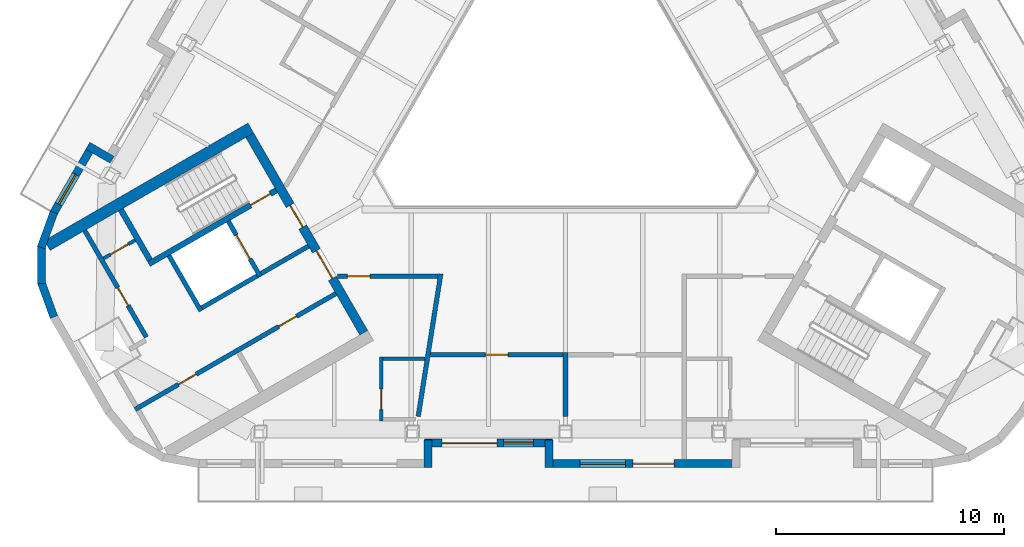
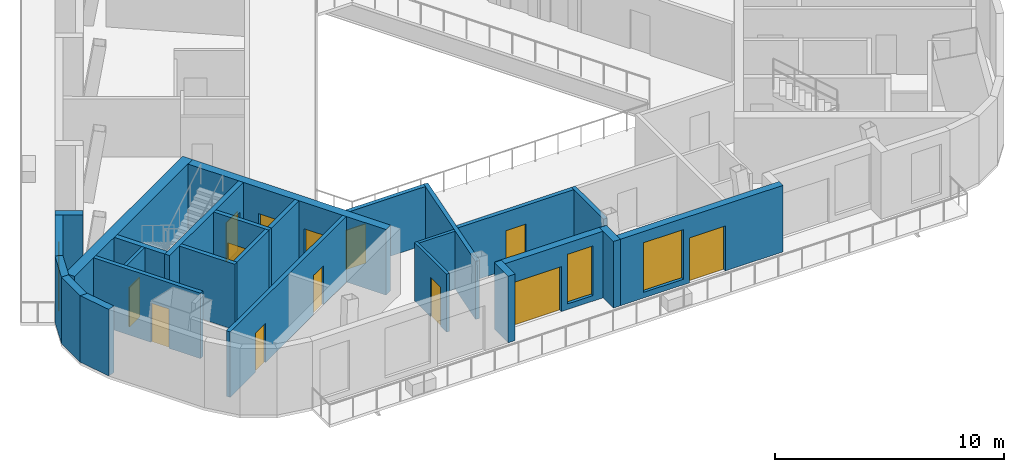
# One storey, part 3 of 11: 26 walls, 13 doors, 3 windows, 16 openings.
"""IFC4 building model written with IfcOpenShell, lengths in metres."""

from ifc_helpers import new_model, si_unit, direction, frame, frame_2d, origin, place, context, subcontext, project, spatial, rectangle, extrude, material, layer, layer_set, type_object, element, fill, save


model = new_model("IFC4")

# Units and contexts
model_context = context("Model", 3, precision=1e-05, world=origin(), true_north=direction((0.0, 1.0)))
body_context = subcontext(model_context, "Body", "Model", "MODEL_VIEW")
ifc_project = project(units=[si_unit("LENGTHUNIT", "METRE"), si_unit("AREAUNIT", "SQUARE_METRE"), si_unit("VOLUMEUNIT", "CUBIC_METRE"), si_unit("PLANEANGLEUNIT", "RADIAN"), si_unit("MASSUNIT", "GRAM", prefix="KILO")], contexts=[model_context])

# Site, building, storey
site_placement = place(None, origin())
site = spatial("IfcSite", under=ifc_project, at=site_placement, CompositionType="ELEMENT")
building_placement = place(site_placement, origin())
building = spatial("IfcBuilding", under=site, at=building_placement, Name="Apuvela Tower Hotel", CompositionType="ELEMENT")
storey_placement = place(building_placement, frame((0.0, 0.0, 309.60009765625)))
storey = spatial("IfcBuildingStorey", under=building, at=storey_placement, Name="L77", CompositionType="ELEMENT", Elevation=309.60009765625)

# Wall, openings, doors
ifc_material_1 = material(Name="Concrete C50/60", Category="concrete")
ifc_layer_1 = layer(ifc_material_1, 0.39990234375)
ifc_layer_set_1 = layer_set([ifc_layer_1], Name="COR-WALL-CORE-400")
wall_type_1 = type_object("IfcWallType", Name="COR-WALL-CORE-400", PredefinedType="SHEAR", material=ifc_layer_set_1)
wall_1_placement = place(storey_placement, frame((-13.844970703125, -2.219970703125, 0.0), z_axis=(0.0, 0.0, 1.0), x_axis=(0.500004234368, -0.866022959057, 0.0)))
wall_1 = element("IfcWall", 1, at=wall_1_placement, inside=storey, type_object=wall_type_1, Name="Core wall SW", PredefinedType="SHEAR", context=body_context, shape_type="SweptSolid", body=[
    extrude(rectangle(XDim=10.0, YDim=0.39990234375, at=frame_2d((5.0, 0.0))), origin(), (0.0, 0.0, 1.0), 3.5),
])
opening_1_placement = place(wall_1_placement, frame((3.550048828125, 0.0, 0.0)))
opening_1 = element("IfcOpeningElement", 2, at=opening_1_placement, cuts=wall_1, Name="Opening W-FD", PredefinedType="OPENING", context=body_context, shape_type="SweptSolid", body=[
    extrude(rectangle(XDim=1.10009765625, YDim=2.10009765625, at=frame_2d((0.550048828125, 1.050048828125))), frame((0.0, 0.2099609375, 0.0), z_axis=(0.0, -1.0, 0.0), x_axis=(1.0, 0.0, 0.0)), (0.0, 0.0, 1.0), 0.419921875),
])
opening_2_placement = place(wall_1_placement, frame((5.85009765625, 0.0, 0.0)))
opening_2 = element("IfcOpeningElement", 3, at=opening_2_placement, cuts=wall_1, Name="Opening W-GD", PredefinedType="OPENING", context=body_context, shape_type="SweptSolid", body=[
    extrude(rectangle(XDim=1.39990234375, YDim=2.10009765625, at=frame_2d((0.699951171875, 1.050048828125))), frame((0.0, 0.2099609375, 0.0), z_axis=(0.0, -1.0, 0.0), x_axis=(1.0, 0.0, 0.0)), (0.0, 0.0, 1.0), 0.419921875),
])
ifc_material_2 = material(Name="Steel fire door, powder coated", Category="steel")
door_type_1 = type_object("IfcDoorType", Name="COR-FD-1100", OperationType="NOTDEFINED", PredefinedType="DOOR", material=ifc_material_2)
door_1_placement = place(opening_1_placement, frame((1.10009765625, 0.0, 0.0), z_axis=(0.0, 0.0, 1.0), x_axis=(-1.0, 0.0, 0.0)))
door_1 = element("IfcDoor", 4, at=door_1_placement, inside=storey, type_object=door_type_1, Name="Firefighting lobby door W-FD", OperationType="SINGLE_SWING_LEFT", OverallHeight=2.10009765625, OverallWidth=1.10009765625, PredefinedType="DOOR", context=body_context, shape_type="SweptSolid", body=[
    extrude(rectangle(XDim=1.10009765625, YDim=2.10009765625, at=frame_2d((0.550048828125, 1.050048828125))), frame((0.0, 0.02490234375, 0.0), z_axis=(0.0, -1.0, 0.0), x_axis=(1.0, 0.0, 0.0)), (0.0, 0.0, 1.0), 0.050048828125),
])
fill(opening_1, door_1)
ifc_material_3 = material(Name="Glazed steel fire door", Category="steel")
door_type_2 = type_object("IfcDoorType", Name="COR-GD-1400", OperationType="DOUBLE_DOOR_SINGLE_SWING", PredefinedType="DOOR", material=ifc_material_3)
door_2_placement = place(opening_2_placement, frame((1.39990234375, 0.0, 0.0), z_axis=(0.0, 0.0, 1.0), x_axis=(-1.0, 0.0, 0.0)))
door_2 = element("IfcDoor", 5, at=door_2_placement, inside=storey, type_object=door_type_2, Name="Lift lobby door W-GD", OperationType="DOUBLE_DOOR_SINGLE_SWING", OverallHeight=2.10009765625, OverallWidth=1.39990234375, PredefinedType="DOOR", context=body_context, shape_type="SweptSolid", body=[
    extrude(rectangle(XDim=1.39990234375, YDim=2.10009765625, at=frame_2d((0.699951171875, 1.050048828125))), frame((0.0, 0.02490234375, 0.0), z_axis=(0.0, -1.0, 0.0), x_axis=(1.0, 0.0, 0.0)), (0.0, 0.0, 1.0), 0.050048828125),
])
fill(opening_2, door_2)

# Wall
ifc_layer_2 = layer(ifc_material_1, 0.5)
ifc_layer_set_2 = layer_set([ifc_layer_2], Name="COR-WALL-CORE-500")
wall_type_2 = type_object("IfcWallType", Name="COR-WALL-CORE-500", PredefinedType="SHEAR", material=ifc_layer_set_2)
wall_2_placement = place(storey_placement, frame((-13.796630859375, -1.9033203125, 0.0), z_axis=(0.0, 0.0, 1.0), x_axis=(-0.866027279078, -0.499996751883, 0.0)))
element("IfcWall", 6, at=wall_2_placement, inside=storey, type_object=wall_type_2, Name="Core wall SW", PredefinedType="SHEAR", context=body_context, shape_type="SweptSolid", body=[
    extrude(rectangle(XDim=10.29833984375, YDim=0.5, at=frame_2d((5.149169921875, 0.0))), origin(), (0.0, 0.0, 1.0), 3.5),
])

# Wall, opening, door
ifc_material_4 = material(Name="Blockwork 150 mm plastered", Category="masonry")
ifc_layer_3 = layer(ifc_material_4, 0.14990234375)
ifc_layer_set_3 = layer_set([ifc_layer_3], Name="COR-WALL-PART-150")
wall_type_3 = type_object("IfcWallType", Name="COR-WALL-PART-150", PredefinedType="PARTITIONING", material=ifc_layer_set_3)
wall_3_placement = place(storey_placement, frame((-18.866455078125, -6.822265625, 0.0), z_axis=(0.0, 0.0, 1.0), x_axis=(-0.866028054938, -0.499995408039, 0.0)))
wall_3 = element("IfcWall", 7, at=wall_3_placement, inside=storey, type_object=wall_type_3, Name="Partition SW", PredefinedType="PARTITIONING", context=body_context, shape_type="SweptSolid", body=[
    extrude(rectangle(XDim=1.60009765625, YDim=0.14990234375, at=frame_2d((0.800048828125, 0.0))), origin(), (0.0, 0.0, 1.0), 3.5),
])
opening_3_placement = place(wall_3_placement, frame((0.35009765625, 0.0, 0.0)))
opening_3 = element("IfcOpeningElement", 8, at=opening_3_placement, cuts=wall_3, Name="Opening W-RD", PredefinedType="OPENING", context=body_context, shape_type="SweptSolid", body=[
    extrude(rectangle(XDim=0.89990234375, YDim=2.10009765625, at=frame_2d((0.449951171875, 1.050048828125))), frame((0.0, 0.0849609375, 0.0), z_axis=(0.0, -1.0, 0.0), x_axis=(1.0, 0.0, 0.0)), (0.0, 0.0, 1.0), 0.169921875),
])
ifc_material_5 = material(Name="Steel access door, powder coated", Category="steel")
door_type_3 = type_object("IfcDoorType", Name="COR-RD-900", OperationType="NOTDEFINED", PredefinedType="DOOR", material=ifc_material_5)
door_3_placement = place(opening_3_placement, frame((0.89990234375, 0.0, 0.0), z_axis=(0.0, 0.0, 1.0), x_axis=(-1.0, 0.0, 0.0)))
door_3 = element("IfcDoor", 9, at=door_3_placement, inside=storey, type_object=door_type_3, Name="Riser door W-RD", OperationType="SINGLE_SWING_RIGHT", OverallHeight=2.10009765625, OverallWidth=0.89990234375, PredefinedType="DOOR", context=body_context, shape_type="SweptSolid", body=[
    extrude(rectangle(XDim=0.89990234375, YDim=2.10009765625, at=frame_2d((0.449951171875, 1.050048828125))), frame((0.0, 0.02490234375, 0.0), z_axis=(0.0, -1.0, 0.0), x_axis=(1.0, 0.0, 0.0)), (0.0, 0.0, 1.0), 0.050048828125),
])
fill(opening_3, door_3)

ifc_material_6 = material(Name="Blockwork 200 mm plastered", Category="masonry")
ifc_layer_4 = layer(ifc_material_6, 0.199951171875)
ifc_layer_set_4 = layer_set([ifc_layer_4], Name="COR-WALL-PART-200")
wall_type_4 = type_object("IfcWallType", Name="COR-WALL-PART-200", PredefinedType="PARTITIONING", material=ifc_layer_set_4)
wall_4_placement = place(storey_placement, frame((-21.076171875, -6.39501953125, 0.0), z_axis=(0.0, 0.0, 1.0), x_axis=(0.50001468107, -0.866016927499, 0.0)))
wall_4 = element("IfcWall", 10, at=wall_4_placement, inside=storey, type_object=wall_type_4, Name="Partition SW", PredefinedType="PARTITIONING", context=body_context, shape_type="SweptSolid", body=[
    extrude(rectangle(XDim=5.399658203125, YDim=0.199951171875, at=frame_2d((2.69970703125, 0.0))), origin(), (0.0, 0.0, 1.0), 3.5),
])
opening_4_placement = place(wall_4_placement, frame((2.89990234375, 0.0, 0.0)))
opening_4 = element("IfcOpeningElement", 11, at=opening_4_placement, cuts=wall_4, Name="Opening W-RS1", PredefinedType="OPENING", context=body_context, shape_type="SweptSolid", body=[
    extrude(rectangle(XDim=0.89990234375, YDim=2.10009765625, at=frame_2d((0.449951171875, 1.050048828125))), frame((0.0, 0.10986328125, 0.0), z_axis=(0.0, -1.0, 0.0), x_axis=(1.0, 0.0, 0.0)), (0.0, 0.0, 1.0), 0.219970703125),
])
door_type_4 = type_object("IfcDoorType", Name="COR-DR-900", OperationType="NOTDEFINED", PredefinedType="DOOR", material=ifc_material_2)
door_4_placement = place(opening_4_placement, frame((0.89990234375, 0.0, 0.0), z_axis=(0.0, 0.0, 1.0), x_axis=(-1.0, 0.0, 0.0)))
door_4 = element("IfcDoor", 12, at=door_4_placement, inside=storey, type_object=door_type_4, Name="Store door W-RS1", OperationType="SINGLE_SWING_LEFT", OverallHeight=2.10009765625, OverallWidth=0.89990234375, PredefinedType="DOOR", context=body_context, shape_type="SweptSolid", body=[
    extrude(rectangle(XDim=0.89990234375, YDim=2.10009765625, at=frame_2d((0.449951171875, 1.050048828125))), frame((0.0, 0.02490234375, 0.0), z_axis=(0.0, -1.0, 0.0), x_axis=(1.0, 0.0, 0.0)), (0.0, 0.0, 1.0), 0.050048828125),
])
fill(opening_4, door_4)

# Wall
ifc_layer_5 = layer(ifc_material_1, 0.199951171875)
ifc_layer_set_5 = layer_set([ifc_layer_5], Name="COR-WALL-SHAFT-200")
wall_type_5 = type_object("IfcWallType", Name="COR-WALL-SHAFT-200", PredefinedType="SHEAR", material=ifc_layer_set_5)
wall_5_placement = place(storey_placement, frame((-17.38134765625, -7.49462890625, 0.0), z_axis=(0.0, 0.0, 1.0), x_axis=(0.500011755427, -0.866018616679, 0.0)))
element("IfcWall", 13, at=wall_5_placement, inside=storey, type_object=wall_type_5, Name="Shaft wall SW", PredefinedType="SHEAR", context=body_context, shape_type="SweptSolid", body=[
    extrude(rectangle(XDim=2.80029296875, YDim=0.199951171875, at=frame_2d((1.400146484375, 0.0))), origin(), (0.0, 0.0, 1.0), 3.5),
])

# Wall, opening, door
wall_6_placement = place(storey_placement, frame((-14.783203125, -5.99462890625, 0.0), z_axis=(0.0, 0.0, 1.0), x_axis=(0.49994636267, -0.866056369097, 0.0)))
wall_6 = element("IfcWall", 14, at=wall_6_placement, inside=storey, type_object=wall_type_5, Name="Shaft wall SW", PredefinedType="SHEAR", context=body_context, shape_type="SweptSolid", body=[
    extrude(rectangle(XDim=2.800048828125, YDim=0.199951171875, at=frame_2d((1.39990234375, 0.0))), origin(), (0.0, 0.0, 1.0), 3.5),
])
opening_5_placement = place(wall_6_placement, frame((0.699951171875, 0.0, 0.0)))
opening_5 = element("IfcOpeningElement", 15, at=opening_5_placement, cuts=wall_6, Name="Opening W-LD-FS2", PredefinedType="OPENING", context=body_context, shape_type="SweptSolid", body=[
    extrude(rectangle(XDim=1.199951171875, YDim=2.10009765625, at=frame_2d((0.60009765625, 1.050048828125))), frame((0.0, 0.10986328125, 0.0), z_axis=(0.0, -1.0, 0.0), x_axis=(1.0, 0.0, 0.0)), (0.0, 0.0, 1.0), 0.219970703125),
])
ifc_material_7 = material(Name="Stainless steel lift landing door", Category="steel")
door_type_5 = type_object("IfcDoorType", Name="COR-LD-1200", OperationType="DOUBLE_DOOR_SLIDING", PredefinedType="DOOR", material=ifc_material_7)
door_5_placement = place(opening_5_placement, origin())
door_5 = element("IfcDoor", 16, at=door_5_placement, inside=storey, type_object=door_type_5, Name="Lift landing door W-LD-FS2", OperationType="DOUBLE_DOOR_SLIDING", OverallHeight=2.10009765625, OverallWidth=1.199951171875, PredefinedType="DOOR", context=body_context, shape_type="SweptSolid", body=[
    extrude(rectangle(XDim=1.199951171875, YDim=2.10009765625, at=frame_2d((0.60009765625, 1.050048828125))), frame((0.0, 0.02490234375, 0.0), z_axis=(0.0, -1.0, 0.0), x_axis=(1.0, 0.0, 0.0)), (0.0, 0.0, 1.0), 0.050048828125),
])
fill(opening_5, door_5)

# Walls
wall_7_placement = place(storey_placement, frame((-13.519775390625, -8.383056640625, 0.0), z_axis=(0.0, 0.0, 1.0), x_axis=(-0.866034573852, -0.49998411664, 0.0)))
element("IfcWall", 17, at=wall_7_placement, inside=storey, type_object=wall_type_5, Name="Shaft wall SW", PredefinedType="SHEAR", context=body_context, shape_type="SweptSolid", body=[
    extrude(rectangle(XDim=2.7998046875, YDim=0.199951171875, at=frame_2d((1.39990234375, 0.0))), origin(), (0.0, 0.0, 1.0), 3.5),
])
wall_8_placement = place(storey_placement, frame((-11.26806640625, -7.0830078125, 0.0), z_axis=(0.0, 0.0, 1.0), x_axis=(-0.866050077142, -0.499957262057, 0.0)))
element("IfcWall", 18, at=wall_8_placement, inside=storey, type_object=wall_type_5, Name="Shaft wall SW", PredefinedType="SHEAR", context=body_context, shape_type="SweptSolid", body=[
    extrude(rectangle(XDim=2.400146484375, YDim=0.199951171875, at=frame_2d((1.2001953125, 0.0))), origin(), (0.0, 0.0, 1.0), 3.5),
])

# Wall, openings, doors
wall_9_placement = place(storey_placement, frame((-10.068115234375, -9.16162109375, 0.0), z_axis=(0.0, 0.0, 1.0), x_axis=(-0.866032725843, -0.499987317609, 0.0)))
wall_9 = element("IfcWall", 19, at=wall_9_placement, inside=storey, type_object=wall_type_5, Name="Shaft wall SW", PredefinedType="SHEAR", context=body_context, shape_type="SweptSolid", body=[
    extrude(rectangle(XDim=10.159912109375, YDim=0.199951171875, at=frame_2d((5.080078125, 0.0))), origin(), (0.0, 0.0, 1.0), 3.5),
])
opening_6_placement = place(wall_9_placement, frame((1.989990234375, 0.0, 0.0)))
opening_6 = element("IfcOpeningElement", 20, at=opening_6_placement, cuts=wall_9, Name="Opening W-RE1", PredefinedType="OPENING", context=body_context, shape_type="SweptSolid", body=[
    extrude(rectangle(XDim=0.89990234375, YDim=2.10009765625, at=frame_2d((0.449951171875, 1.050048828125))), frame((0.0, 0.10986328125, 0.0), z_axis=(0.0, -1.0, 0.0), x_axis=(1.0, 0.0, 0.0)), (0.0, 0.0, 1.0), 0.219970703125),
])
opening_7_placement = place(wall_9_placement, frame((7.070068359375, 0.0, 0.0)))
opening_7 = element("IfcOpeningElement", 21, at=opening_7_placement, cuts=wall_9, Name="Opening W-RE3", PredefinedType="OPENING", context=body_context, shape_type="SweptSolid", body=[
    extrude(rectangle(XDim=0.89990234375, YDim=2.10009765625, at=frame_2d((0.449951171875, 1.050048828125))), frame((0.0, 0.10986328125, 0.0), z_axis=(0.0, -1.0, 0.0), x_axis=(1.0, 0.0, 0.0)), (0.0, 0.0, 1.0), 0.219970703125),
])
door_6_placement = place(opening_6_placement, origin())
door_6 = element("IfcDoor", 22, at=door_6_placement, inside=storey, type_object=door_type_4, Name="Store door W-RE1", OperationType="SINGLE_SWING_LEFT", OverallHeight=2.10009765625, OverallWidth=0.89990234375, PredefinedType="DOOR", context=body_context, shape_type="SweptSolid", body=[
    extrude(rectangle(XDim=0.89990234375, YDim=2.10009765625, at=frame_2d((0.449951171875, 1.050048828125))), frame((0.0, 0.02490234375, 0.0), z_axis=(0.0, -1.0, 0.0), x_axis=(1.0, 0.0, 0.0)), (0.0, 0.0, 1.0), 0.050048828125),
])
fill(opening_6, door_6)
door_7_placement = place(opening_7_placement, origin())
door_7 = element("IfcDoor", 23, at=door_7_placement, inside=storey, type_object=door_type_4, Name="Store door W-RE3", OperationType="SINGLE_SWING_LEFT", OverallHeight=2.10009765625, OverallWidth=0.89990234375, PredefinedType="DOOR", context=body_context, shape_type="SweptSolid", body=[
    extrude(rectangle(XDim=0.89990234375, YDim=2.10009765625, at=frame_2d((0.449951171875, 1.050048828125))), frame((0.0, 0.02490234375, 0.0), z_axis=(0.0, -1.0, 0.0), x_axis=(1.0, 0.0, 0.0)), (0.0, 0.0, 1.0), 0.050048828125),
])
fill(opening_7, door_7)

# Wall, opening, door
ifc_layer_6 = layer(ifc_material_1, 0.25)
ifc_layer_set_6 = layer_set([ifc_layer_6], Name="COR-WALL-STAIR-250")
wall_type_6 = type_object("IfcWallType", Name="COR-WALL-STAIR-250", PredefinedType="SHEAR", material=ifc_layer_set_6)
wall_10_placement = place(storey_placement, frame((-12.6806640625, -4.636474609375, 0.0), z_axis=(0.0, 0.0, 1.0), x_axis=(-0.866021702275, -0.500006411147, 0.0)))
wall_10 = element("IfcWall", 24, at=wall_10_placement, inside=storey, type_object=wall_type_6, Name="Stair wall SW", PredefinedType="SHEAR", context=body_context, shape_type="SweptSolid", body=[
    extrude(rectangle(XDim=6.4501953125, YDim=0.25, at=frame_2d((3.22509765625, 0.0))), origin(), (0.0, 0.0, 1.0), 3.5),
])
opening_8_placement = place(wall_10_placement, frame((0.300048828125, 0.0, 0.0)))
opening_8 = element("IfcOpeningElement", 25, at=opening_8_placement, cuts=wall_10, Name="Opening W-SD", PredefinedType="OPENING", context=body_context, shape_type="SweptSolid", body=[
    extrude(rectangle(XDim=1.0, YDim=2.10009765625, at=frame_2d((0.5, 1.050048828125))), frame((0.0, 0.135009765625, 0.0), z_axis=(0.0, -1.0, 0.0), x_axis=(1.0, 0.0, 0.0)), (0.0, 0.0, 1.0), 0.27001953125),
])
door_type_6 = type_object("IfcDoorType", Name="COR-SD-1000", OperationType="NOTDEFINED", PredefinedType="DOOR", material=ifc_material_2)
door_8_placement = place(opening_8_placement, frame((1.0, 0.0, 0.0), z_axis=(0.0, 0.0, 1.0), x_axis=(-1.0, 0.0, 0.0)))
door_8 = element("IfcDoor", 26, at=door_8_placement, inside=storey, type_object=door_type_6, Name="Stair door W-SD", OperationType="SINGLE_SWING_LEFT", OverallHeight=2.10009765625, OverallWidth=1.0, PredefinedType="DOOR", context=body_context, shape_type="SweptSolid", body=[
    extrude(rectangle(XDim=1.0, YDim=2.10009765625, at=frame_2d((0.5, 1.050048828125))), frame((0.0, 0.02490234375, 0.0), z_axis=(0.0, -1.0, 0.0), x_axis=(1.0, 0.0, 0.0)), (0.0, 0.0, 1.0), 0.050048828125),
])
fill(opening_8, door_8)

# Walls
wall_11_placement = place(storey_placement, frame((-19.49560546875, -5.482421875, 0.0), z_axis=(0.0, 0.0, 1.0), x_axis=(0.499990435942, -0.866030925526, 0.0)))
element("IfcWall", 27, at=wall_11_placement, inside=storey, type_object=wall_type_6, Name="Stair wall SW", PredefinedType="SHEAR", context=body_context, shape_type="SweptSolid", body=[
    extrude(rectangle(XDim=2.5498046875, YDim=0.25, at=frame_2d((1.27490234375, 0.0))), origin(), (0.0, 0.0, 1.0), 3.5),
])
ifc_material_8 = material(Name="Concrete C40/50, dark pigmented precast panel", Category="concrete")
ifc_layer_7 = layer(ifc_material_8, 0.35009765625)
ifc_layer_set_7 = layer_set([ifc_layer_7], Name="ENV-WALL-350")
wall_type_7 = type_object("IfcWallType", Name="ENV-WALL-350", PredefinedType="SOLIDWALL", material=ifc_layer_set_7)
wall_12_placement = place(storey_placement, frame((-19.88427734375, -3.291748046875, 0.0), z_axis=(0.0, 0.0, 1.0), x_axis=(-0.866005645448, 0.500034220881, 0.0)))
element("IfcWall", 28, at=wall_12_placement, inside=storey, type_object=wall_type_7, Name="External wall L77-08", PredefinedType="SOLIDWALL", context=body_context, shape_type="SweptSolid", body=[
    extrude(rectangle(XDim=1.22021484375, YDim=0.35009765625, at=frame_2d((0.610107421875, 0.0))), origin(), (0.0, 0.0, 1.0), 3.5498046875),
])

# Wall, opening, window
wall_13_placement = place(storey_placement, frame((-20.701904296875, -2.61767578125, 0.0), z_axis=(0.0, 0.0, 1.0), x_axis=(-0.499979528911, -0.866037222451, 0.0)))
wall_13 = element("IfcWall", 29, at=wall_13_placement, inside=storey, type_object=wall_type_7, Name="External wall L77-09", PredefinedType="SOLIDWALL", context=body_context, shape_type="SweptSolid", body=[
    extrude(rectangle(XDim=3.480224609375, YDim=0.35009765625, at=frame_2d((1.740234375, 0.0))), origin(), (0.0, 0.0, 1.0), 3.5498046875),
])
opening_9_placement = place(wall_13_placement, frame((1.530517578125, 0.0, 0.300048828125)))
opening_9 = element("IfcOpeningElement", 30, at=opening_9_placement, cuts=wall_13, Name="Opening WN15", PredefinedType="OPENING", context=body_context, shape_type="SweptSolid", body=[
    extrude(rectangle(XDim=1.5, YDim=2.64990234375, at=frame_2d((0.75, 1.324951171875))), frame((0.0, 0.18505859375, 0.0), z_axis=(0.0, -1.0, 0.0), x_axis=(1.0, 0.0, 0.0)), (0.0, 0.0, 1.0), 0.3701171875),
])
ifc_material_9 = material(Name="Glass, dark tinted laminated insulated glazing unit", Category="glass")
window_type_1 = type_object("IfcWindowType", Name="ENV-WIN-1500x2650", PartitioningType="SINGLE_PANEL", PredefinedType="WINDOW", material=ifc_material_9)
window_1_placement = place(opening_9_placement, origin())
window_1 = element("IfcWindow", 31, at=window_1_placement, inside=storey, type_object=window_type_1, Name="Window WN15", OverallHeight=2.64990234375, OverallWidth=1.5, PartitioningType="SINGLE_PANEL", PredefinedType="WINDOW", context=body_context, shape_type="SweptSolid", body=[
    extrude(rectangle(XDim=1.5, YDim=2.64990234375, at=frame_2d((0.75, 1.324951171875))), frame((0.0, 0.030029296875, 0.0), z_axis=(0.0, -1.0, 0.0), x_axis=(1.0, 0.0, 0.0)), (0.0, 0.0, 1.0), 0.06005859375),
])
fill(opening_9, window_1)

# Walls
for number, where, z_axis, x_axis, name in (
    (32, (-22.42919921875, -5.603759765625, 0.0), (0.0, 0.0, 1.0), (-0.34192296291, -0.939727985874, 0.0), "External wall L77-10"),
    (33, (-22.977294921875, -7.07958984375, 0.0), (0.0, 0.0, 1.0), (0.0, -1.0, 0.0), "External wall L77-11"),
    (34, (-22.988037109375, -8.654052734375, 0.0), (0.0, 0.0, 1.0), (0.341970966071, -0.939710518386, 0.0), "External wall L77-12"),
):
    element("IfcWall", number, at=place(storey_placement, frame(where, z_axis=z_axis, x_axis=x_axis)), inside=storey, type_object=wall_type_7, Name=name, PredefinedType="SOLIDWALL", context=body_context, shape_type="SweptSolid", body=[
        extrude(rectangle(XDim=1.63427734375, YDim=0.35009765625, at=frame_2d((0.817138671875, 0.0))), origin(), (0.0, 0.0, 1.0), 3.5498046875),
    ])
wall_14_placement = place(storey_placement, frame((-6.033935546875, -16.794677734375, 0.0), z_axis=(0.0, 0.0, 1.0), x_axis=(0.0, 1.0, 0.0)))
element("IfcWall", 35, at=wall_14_placement, inside=storey, type_object=wall_type_7, Name="External wall L77-18", PredefinedType="SOLIDWALL", context=body_context, shape_type="SweptSolid", body=[
    extrude(rectangle(XDim=1.219970703125, YDim=0.35009765625, at=frame_2d((0.60986328125, 0.0))), origin(), (0.0, 0.0, 1.0), 3.5498046875),
])

# Wall, openings, door, window
wall_15_placement = place(storey_placement, frame((-6.178955078125, -15.719482421875, 0.0), z_axis=(0.0, 0.0, 1.0), x_axis=(1.0, 0.0, 0.0)))
wall_15 = element("IfcWall", 36, at=wall_15_placement, inside=storey, type_object=wall_type_7, Name="External wall L77-19", PredefinedType="SOLIDWALL", context=body_context, shape_type="SweptSolid", body=[
    extrude(rectangle(XDim=5.598876953125, YDim=0.35009765625, at=frame_2d((2.79931640625, 0.0))), origin(), (0.0, 0.0, 1.0), 3.5498046875),
])
opening_10_placement = place(wall_15_placement, frame((0.77001953125, 0.0, 0.0)))
opening_10 = element("IfcOpeningElement", 37, at=opening_10_placement, cuts=wall_15, Name="Opening BD24", PredefinedType="OPENING", context=body_context, shape_type="SweptSolid", body=[
    extrude(rectangle(XDim=2.39990234375, YDim=2.39990234375, at=frame_2d((1.199951171875, 1.199951171875))), frame((0.0, 0.18505859375, 0.0), z_axis=(0.0, -1.0, 0.0), x_axis=(1.0, 0.0, 0.0)), (0.0, 0.0, 1.0), 0.3701171875),
])
opening_11_placement = place(wall_15_placement, frame((3.469970703125, 0.0, 0.300048828125)))
opening_11 = element("IfcOpeningElement", 38, at=opening_11_placement, cuts=wall_15, Name="Opening WN13", PredefinedType="OPENING", context=body_context, shape_type="SweptSolid", body=[
    extrude(rectangle(XDim=1.300048828125, YDim=2.64990234375, at=frame_2d((0.64990234375, 1.324951171875))), frame((0.0, 0.18505859375, 0.0), z_axis=(0.0, -1.0, 0.0), x_axis=(1.0, 0.0, 0.0)), (0.0, 0.0, 1.0), 0.3701171875),
])
ifc_material_10 = material(Name="Aluminium 6063-T6, dark bronze anodised frame with dark tinted laminated glass", Category="aluminium")
door_type_7 = type_object("IfcDoorType", Name="ENV-DOOR-BALCONY-2400x2400", OperationType="SLIDING_TO_LEFT", PredefinedType="DOOR", material=ifc_material_10)
door_9_placement = place(opening_10_placement, frame((2.39990234375, 0.0, 0.0), z_axis=(0.0, 0.0, 1.0), x_axis=(-1.0, 0.0, 0.0)))
door_9 = element("IfcDoor", 39, at=door_9_placement, inside=storey, type_object=door_type_7, Name="Balcony door BD24", OperationType="SLIDING_TO_LEFT", OverallHeight=2.39990234375, OverallWidth=2.39990234375, PredefinedType="DOOR", context=body_context, shape_type="SweptSolid", body=[
    extrude(rectangle(XDim=2.39990234375, YDim=2.39990234375, at=frame_2d((1.199951171875, 1.199951171875))), frame((0.0, 0.02490234375, 0.0), z_axis=(0.0, -1.0, 0.0), x_axis=(1.0, 0.0, 0.0)), (0.0, 0.0, 1.0), 0.050048828125),
])
fill(opening_10, door_9)
window_type_2 = type_object("IfcWindowType", Name="ENV-WIN-1300x2650", PartitioningType="SINGLE_PANEL", PredefinedType="WINDOW", material=ifc_material_9)
window_2_placement = place(opening_11_placement, origin())
window_2 = element("IfcWindow", 40, at=window_2_placement, inside=storey, type_object=window_type_2, Name="Window WN13", OverallHeight=2.64990234375, OverallWidth=1.300048828125, PartitioningType="SINGLE_PANEL", PredefinedType="WINDOW", context=body_context, shape_type="SweptSolid", body=[
    extrude(rectangle(XDim=1.300048828125, YDim=2.64990234375, at=frame_2d((0.64990234375, 1.324951171875))), frame((0.0, 0.030029296875, 0.0), z_axis=(0.0, -1.0, 0.0), x_axis=(1.0, 0.0, 0.0)), (0.0, 0.0, 1.0), 0.06005859375),
])
fill(opening_11, window_2)

# Wall
wall_16_placement = place(storey_placement, frame((-0.72509765625, -15.57470703125, 0.0), z_axis=(0.0, 0.0, 1.0), x_axis=(0.0, -1.0, 0.0)))
element("IfcWall", 41, at=wall_16_placement, inside=storey, type_object=wall_type_7, Name="External wall L77-20", PredefinedType="SOLIDWALL", context=body_context, shape_type="SweptSolid", body=[
    extrude(rectangle(XDim=1.219970703125, YDim=0.35009765625, at=frame_2d((0.60986328125, 0.0))), origin(), (0.0, 0.0, 1.0), 3.5498046875),
])

# Wall, openings, door, window
wall_17_placement = place(storey_placement, frame((-0.89990234375, -16.61962890625, 0.0), z_axis=(0.0, 0.0, 1.0), x_axis=(1.0, 0.0, 0.0)))
wall_17 = element("IfcWall", 42, at=wall_17_placement, inside=storey, type_object=wall_type_7, Name="External wall L77-21", PredefinedType="SOLIDWALL", context=body_context, shape_type="SweptSolid", body=[
    extrude(rectangle(XDim=8.558837890625, YDim=0.35009765625, at=frame_2d((4.279296875, 0.0))), origin(), (0.0, 0.0, 1.0), 3.5498046875),
])
opening_12_placement = place(wall_17_placement, frame((3.849609375, 0.0, 0.0)))
opening_12 = element("IfcOpeningElement", 43, at=opening_12_placement, cuts=wall_17, Name="Opening BD18", PredefinedType="OPENING", context=body_context, shape_type="SweptSolid", body=[
    extrude(rectangle(XDim=1.800048828125, YDim=2.39990234375, at=frame_2d((0.89990234375, 1.199951171875))), frame((0.0, 0.18505859375, 0.0), z_axis=(0.0, -1.0, 0.0), x_axis=(1.0, 0.0, 0.0)), (0.0, 0.0, 1.0), 0.3701171875),
])
opening_13_placement = place(wall_17_placement, frame((1.5283203125, 0.0, 0.300048828125)))
opening_13 = element("IfcOpeningElement", 44, at=opening_13_placement, cuts=wall_17, Name="Opening WN20", PredefinedType="OPENING", context=body_context, shape_type="SweptSolid", body=[
    extrude(rectangle(XDim=2.0, YDim=2.64990234375, at=frame_2d((1.0, 1.324951171875))), frame((0.0, 0.18505859375, 0.0), z_axis=(0.0, -1.0, 0.0), x_axis=(1.0, 0.0, 0.0)), (0.0, 0.0, 1.0), 0.3701171875),
])
door_type_8 = type_object("IfcDoorType", Name="ENV-DOOR-BALCONY-1800x2400", OperationType="SLIDING_TO_LEFT", PredefinedType="DOOR", material=ifc_material_10)
door_10_placement = place(opening_12_placement, frame((1.800048828125, 0.0, 0.0), z_axis=(0.0, 0.0, 1.0), x_axis=(-1.0, 0.0, 0.0)))
door_10 = element("IfcDoor", 45, at=door_10_placement, inside=storey, type_object=door_type_8, Name="Balcony door BD18", OperationType="SLIDING_TO_LEFT", OverallHeight=2.39990234375, OverallWidth=1.800048828125, PredefinedType="DOOR", context=body_context, shape_type="SweptSolid", body=[
    extrude(rectangle(XDim=1.800048828125, YDim=2.39990234375, at=frame_2d((0.89990234375, 1.199951171875))), frame((0.0, 0.02490234375, 0.0), z_axis=(0.0, -1.0, 0.0), x_axis=(1.0, 0.0, 0.0)), (0.0, 0.0, 1.0), 0.050048828125),
])
fill(opening_12, door_10)
window_type_3 = type_object("IfcWindowType", Name="ENV-WIN-2000x2650", PartitioningType="SINGLE_PANEL", PredefinedType="WINDOW", material=ifc_material_9)
window_3_placement = place(opening_13_placement, origin())
window_3 = element("IfcWindow", 46, at=window_3_placement, inside=storey, type_object=window_type_3, Name="Window WN20", OverallHeight=2.64990234375, OverallWidth=2.0, PartitioningType="SINGLE_PANEL", PredefinedType="WINDOW", context=body_context, shape_type="SweptSolid", body=[
    extrude(rectangle(XDim=2.0, YDim=2.64990234375, at=frame_2d((1.0, 1.324951171875))), frame((0.0, 0.030029296875, 0.0), z_axis=(0.0, -1.0, 0.0), x_axis=(1.0, 0.0, 0.0)), (0.0, 0.0, 1.0), 0.06005859375),
])
fill(opening_13, window_3)

# Walls
ifc_material_11 = material(Name="Gypsum board partition on twin steel stud", Category="steel")
ifc_layer_8 = layer(ifc_material_11, 0.199951171875)
ifc_layer_set_8 = layer_set([ifc_layer_8], Name="GST-PW1")
wall_type_8 = type_object("IfcWallType", Name="GST-PW1", PredefinedType="PARTITIONING", material=ifc_layer_set_8)
wall_18_placement = place(storey_placement, frame((-6.45849609375, -14.548828125, 0.0), z_axis=(0.0, 0.0, 1.0), x_axis=(0.156515409126, 0.987675516911, 0.0)))
element("IfcWall", 47, at=wall_18_placement, inside=storey, type_object=wall_type_8, Name="L77 partition 01", PredefinedType="PARTITIONING", context=body_context, shape_type="SweptSolid", body=[
    extrude(rectangle(XDim=6.32666015625, YDim=0.199951171875, at=frame_2d((3.163330078125, 0.0))), origin(), (0.0, 0.0, 1.0), 3.099853515625),
])
wall_19_placement = place(storey_placement, frame((0.0, -14.54931640625, 0.0), z_axis=(0.0, 0.0, 1.0), x_axis=(0.0, 1.0, 0.0)))
element("IfcWall", 48, at=wall_19_placement, inside=storey, type_object=wall_type_8, Name="L77 partition 02", PredefinedType="PARTITIONING", context=body_context, shape_type="SweptSolid", body=[
    extrude(rectangle(XDim=2.8046875, YDim=0.199951171875, at=frame_2d((1.40234375, 0.0))), origin(), (0.0, 0.0, 1.0), 3.099853515625),
])

# Wall, opening, door
ifc_material_12 = material(Name="Gypsum board corridor wall on twin steel stud, acoustic", Category="steel")
ifc_layer_9 = layer(ifc_material_12, 0.199951171875)
ifc_layer_set_9 = layer_set([ifc_layer_9], Name="GST-PW2")
wall_type_9 = type_object("IfcWallType", Name="GST-PW2", PredefinedType="PARTITIONING", material=ifc_layer_set_9)
wall_20_placement = place(storey_placement, frame((-5.58544921875, -8.39990234375, 0.0), z_axis=(0.0, 0.0, 1.0), x_axis=(-1.0, 0.0, 0.0)))
wall_20 = element("IfcWall", 49, at=wall_20_placement, inside=storey, type_object=wall_type_9, Name="L77 partition 09", PredefinedType="PARTITIONING", context=body_context, shape_type="SweptSolid", body=[
    extrude(rectangle(XDim=4.40283203125, YDim=0.199951171875, at=frame_2d((2.201416015625, 0.0))), origin(), (0.0, 0.0, 1.0), 3.099853515625),
])
opening_14_placement = place(wall_20_placement, frame((2.982177734375, 0.0, 0.0)))
opening_14 = element("IfcOpeningElement", 50, at=opening_14_placement, cuts=wall_20, Name="Opening GD32-02", PredefinedType="OPENING", context=body_context, shape_type="SweptSolid", body=[
    extrude(rectangle(XDim=1.0, YDim=2.10009765625, at=frame_2d((0.5, 1.050048828125))), frame((0.0, 0.10986328125, 0.0), z_axis=(0.0, -1.0, 0.0), x_axis=(1.0, 0.0, 0.0)), (0.0, 0.0, 1.0), 0.219970703125),
])
ifc_material_13 = material(Name="Timber door leaf in steel frame", Category="steel")
door_type_9 = type_object("IfcDoorType", Name="GST-D1", OperationType="NOTDEFINED", PredefinedType="DOOR", material=ifc_material_13)
door_11_placement = place(opening_14_placement, origin())
door_11 = element("IfcDoor", 51, at=door_11_placement, inside=storey, type_object=door_type_9, Name="Door L77-02", OperationType="SINGLE_SWING_RIGHT", OverallHeight=2.10009765625, OverallWidth=1.0, PredefinedType="DOOR", context=body_context, shape_type="SweptSolid", body=[
    extrude(rectangle(XDim=1.0, YDim=2.10009765625, at=frame_2d((0.5, 1.050048828125))), frame((0.0, 0.02490234375, 0.0), z_axis=(0.0, -1.0, 0.0), x_axis=(1.0, 0.0, 0.0)), (0.0, 0.0, 1.0), 0.050048828125),
])
fill(opening_14, door_11)

wall_21_placement = place(storey_placement, frame((-0.10009765625, -11.844482421875, 0.0), z_axis=(0.0, 0.0, 1.0), x_axis=(-1.0, 0.0, 0.0)))
wall_21 = element("IfcWall", 52, at=wall_21_placement, inside=storey, type_object=wall_type_9, Name="L77 partition 13", PredefinedType="PARTITIONING", context=body_context, shape_type="SweptSolid", body=[
    extrude(rectangle(XDim=5.82861328125, YDim=0.199951171875, at=frame_2d((2.914306640625, 0.0))), origin(), (0.0, 0.0, 1.0), 3.099853515625),
])
opening_15_placement = place(wall_21_placement, frame((2.414306640625, 0.0, 0.0)))
opening_15 = element("IfcOpeningElement", 53, at=opening_15_placement, cuts=wall_21, Name="Opening GD32-03", PredefinedType="OPENING", context=body_context, shape_type="SweptSolid", body=[
    extrude(rectangle(XDim=1.0, YDim=2.10009765625, at=frame_2d((0.5, 1.050048828125))), frame((0.0, 0.10986328125, 0.0), z_axis=(0.0, -1.0, 0.0), x_axis=(1.0, 0.0, 0.0)), (0.0, 0.0, 1.0), 0.219970703125),
])
door_12_placement = place(opening_15_placement, origin())
door_12 = element("IfcDoor", 54, at=door_12_placement, inside=storey, type_object=door_type_9, Name="Door L77-03", OperationType="SINGLE_SWING_LEFT", OverallHeight=2.10009765625, OverallWidth=1.0, PredefinedType="DOOR", context=body_context, shape_type="SweptSolid", body=[
    extrude(rectangle(XDim=1.0, YDim=2.10009765625, at=frame_2d((0.5, 1.050048828125))), frame((0.0, 0.02490234375, 0.0), z_axis=(0.0, -1.0, 0.0), x_axis=(1.0, 0.0, 0.0)), (0.0, 0.0, 1.0), 0.050048828125),
])
fill(opening_15, door_12)

ifc_material_14 = material(Name="Moisture-resistant gypsum board wet wall on steel stud", Category="steel")
ifc_layer_10 = layer(ifc_material_14, 0.14990234375)
ifc_layer_set_10 = layer_set([ifc_layer_10], Name="GST-PW3")
wall_type_10 = type_object("IfcWallType", Name="GST-PW3", PredefinedType="PARTITIONING", material=ifc_layer_set_10)
wall_22_placement = place(storey_placement, frame((-8.072021484375, -11.944580078125, 0.0), z_axis=(0.0, 0.0, 1.0), x_axis=(0.0, -1.0, 0.0)))
wall_22 = element("IfcWall", 55, at=wall_22_placement, inside=storey, type_object=wall_type_10, Name="L77 partition 10", PredefinedType="PARTITIONING", context=body_context, shape_type="SweptSolid", body=[
    extrude(rectangle(XDim=2.800048828125, YDim=0.14990234375, at=frame_2d((1.39990234375, 0.0))), origin(), (0.0, 0.0, 1.0), 3.099853515625),
])
opening_16_placement = place(wall_22_placement, frame((1.39990234375, 0.0, 0.0)))
opening_16 = element("IfcOpeningElement", 56, at=opening_16_placement, cuts=wall_22, Name="Opening GD32-01", PredefinedType="OPENING", context=body_context, shape_type="SweptSolid", body=[
    extrude(rectangle(XDim=0.89990234375, YDim=2.10009765625, at=frame_2d((0.449951171875, 1.050048828125))), frame((0.0, 0.0849609375, 0.0), z_axis=(0.0, -1.0, 0.0), x_axis=(1.0, 0.0, 0.0)), (0.0, 0.0, 1.0), 0.169921875),
])
door_type_10 = type_object("IfcDoorType", Name="GST-D2", OperationType="NOTDEFINED", PredefinedType="DOOR", material=ifc_material_13)
door_13_placement = place(opening_16_placement, origin())
door_13 = element("IfcDoor", 57, at=door_13_placement, inside=storey, type_object=door_type_10, Name="Door L77-01", OperationType="SINGLE_SWING_RIGHT", OverallHeight=2.10009765625, OverallWidth=0.89990234375, PredefinedType="DOOR", context=body_context, shape_type="SweptSolid", body=[
    extrude(rectangle(XDim=0.89990234375, YDim=2.10009765625, at=frame_2d((0.449951171875, 1.050048828125))), frame((0.0, 0.02490234375, 0.0), z_axis=(0.0, -1.0, 0.0), x_axis=(1.0, 0.0, 0.0)), (0.0, 0.0, 1.0), 0.050048828125),
])
fill(opening_16, door_13)

# Wall
wall_23_placement = place(storey_placement, frame((-7.9970703125, -12.01953125, 0.0), z_axis=(0.0, 0.0, 1.0), x_axis=(1.0, 0.0, 0.0)))
element("IfcWall", 58, at=wall_23_placement, inside=storey, type_object=wall_type_10, Name="L77 partition 12", PredefinedType="PARTITIONING", context=body_context, shape_type="SweptSolid", body=[
    extrude(rectangle(XDim=1.838134765625, YDim=0.14990234375, at=frame_2d((0.9189453125, 0.0))), origin(), (0.0, 0.0, 1.0), 3.099853515625),
])

save(model, "model.ifc")
